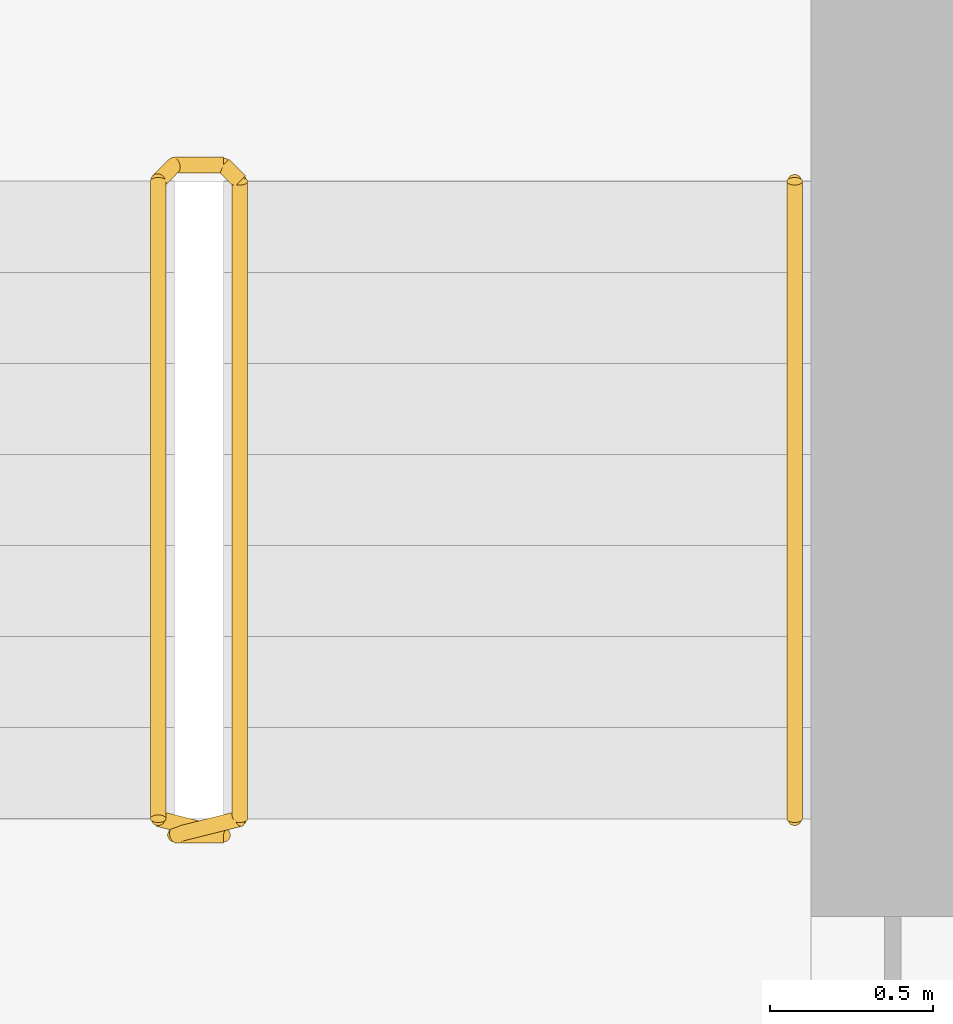
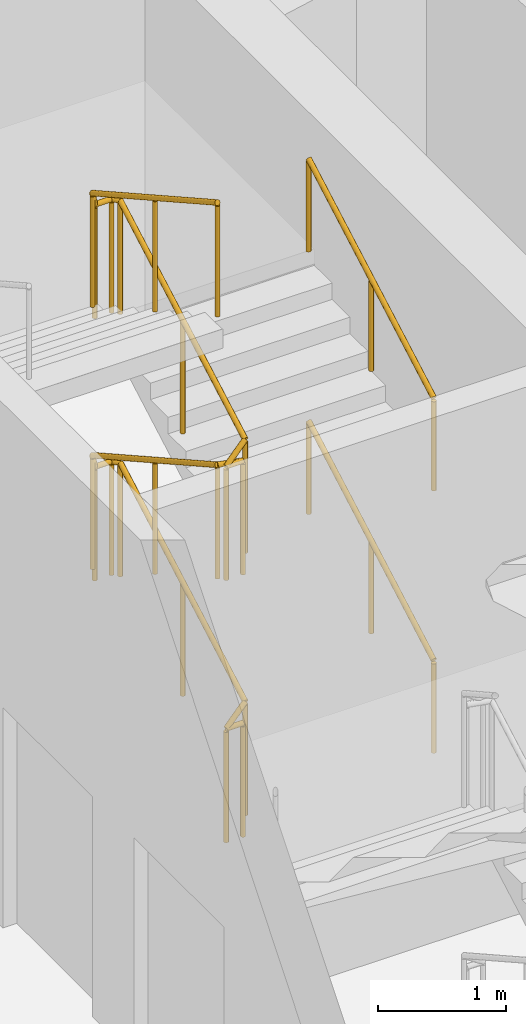
# One storey, part 9 of 9: 3 railings.
"""IFC4 building model written with IfcOpenShell, lengths in metres."""

from ifc_helpers import new_model, si_unit, direction, frame, origin, origin_2d, place, context, subcontext, project, spatial, circle, extrude, material, type_object, element, save


model = new_model("IFC4")

# Units and contexts
model_context = context("Model", 3, precision=1e-05, world=origin(), true_north=direction((0.0, 1.0)))
body_context = subcontext(model_context, "Body", "Model", "MODEL_VIEW")
ifc_project = project(units=[si_unit("LENGTHUNIT", "METRE"), si_unit("AREAUNIT", "SQUARE_METRE"), si_unit("VOLUMEUNIT", "CUBIC_METRE"), si_unit("PLANEANGLEUNIT", "RADIAN"), si_unit("MASSUNIT", "GRAM", prefix="KILO")], contexts=[model_context])

# Site, building, storey
site_placement = place(None, origin())
site = spatial("IfcSite", under=ifc_project, at=site_placement, CompositionType="ELEMENT")
building_placement = place(site_placement, origin())
building = spatial("IfcBuilding", under=site, at=building_placement, Name="Calabash Gate Tower", CompositionType="ELEMENT")
storey_placement = place(building_placement, frame((0.0, 0.0, 315.5)))
storey = spatial("IfcBuildingStorey", under=building, at=storey_placement, Name="L74", CompositionType="ELEMENT", Elevation=315.5)

# Railings
ifc_material_1 = material(Name="Black powder-coated steel balusters", Category="steel")
railing_type_1 = type_object("IfcRailingType", Name="Stair guard RL1100", PredefinedType="GUARDRAIL", material=ifc_material_1)
railing_placement = place(storey_placement, frame((10.300048828125, 13.902587890625, 0.0)))
element("IfcRailing", 1, at=railing_placement, inside=storey, type_object=railing_type_1, Name="L74 ST3 stair guard 1", PredefinedType="GUARDRAIL", context=body_context, shape_type="SweptSolid", body=[
    extrude(circle(Radius=0.02392578125, at=origin_2d()), frame((0.0, 0.0, 1.076171875), z_axis=(-1.0, 0.0, 0.0), x_axis=(0.0, -1.0, 0.0)), (0.0, 0.0, 1.0), 0.150146484375),
    extrude(circle(Radius=0.02392578125, at=origin_2d()), frame((-0.150146484375, 0.0, 1.076171875), z_axis=(0.773438643492, 0.193359660873, 0.603659429067), x_axis=(-0.242535625036, 0.970142500145, 0.0)), (0.0, 0.0, 1.0), 0.2587890625),
    extrude(circle(Radius=0.02392578125, at=origin_2d()), frame((0.050048828125, 0.050048828125, 1.232421875), z_axis=(0.0, 0.872479975208, 0.48864986735), x_axis=(-1.0, 0.0, 0.0)), (0.0, 0.0, 1.0), 2.23828125),
    extrude(circle(Radius=0.02392578125, at=origin_2d()), frame((0.050048828125, 2.0029296875, 2.326171875), z_axis=(-0.707106781187, 0.707106781187, 0.0), x_axis=(-0.707106781187, -0.707106781187, 0.0)), (0.0, 0.0, 1.0), 0.07080078125),
    extrude(circle(Radius=0.02392578125, at=origin_2d()), frame((0.0, 2.052978515625, 2.326171875), z_axis=(-1.0, 0.0, 0.0), x_axis=(0.0, -1.0, 0.0)), (0.0, 0.0, 1.0), 0.150146484375),
    extrude(circle(Radius=0.02392578125, at=origin_2d()), frame((-0.150146484375, 2.052978515625, 2.326171875), z_axis=(-0.290469530425, -0.291893400672, 0.911276958196), x_axis=(0.708833529934, -0.705375805398, 0.0)), (0.0, 0.0, 1.0), 0.17138671875),
    extrude(circle(Radius=0.02392578125, at=origin_2d()), frame((-0.199951171875, 2.0029296875, 2.482421875), z_axis=(0.0, -0.872479975208, 0.48864986735), x_axis=(1.0, 0.0, 0.0)), (0.0, 0.0, 1.0), 2.23828125),
    extrude(circle(Radius=0.02392578125, at=origin_2d()), frame((-0.199951171875, 0.050048828125, 3.576171875), z_axis=(0.970072785993, -0.242814311512, 0.0), x_axis=(0.242814311512, 0.970072785993, 0.0)), (0.0, 0.0, 1.0), 0.2060546875),
    extrude(circle(Radius=0.02392578125, at=origin_2d()), frame((0.0, 0.0, 3.576171875), z_axis=(-1.0, 0.0, 0.0), x_axis=(0.0, -1.0, 0.0)), (0.0, 0.0, 1.0), 0.150146484375),
    extrude(circle(Radius=0.02392578125, at=origin_2d()), frame((-0.150146484375, 0.0, 3.576171875), z_axis=(0.773438643492, 0.193359660873, 0.603659429067), x_axis=(-0.242535625036, 0.970142500145, 0.0)), (0.0, 0.0, 1.0), 0.2587890625),
    extrude(circle(Radius=0.02392578125, at=origin_2d()), frame((0.050048828125, 0.050048828125, 3.732421875), z_axis=(0.0, 0.872479975208, 0.48864986735), x_axis=(-1.0, 0.0, 0.0)), (0.0, 0.0, 1.0), 2.23828125),
    extrude(circle(Radius=0.02392578125, at=origin_2d()), frame((0.050048828125, 2.0029296875, 4.826171875), z_axis=(-0.707106781187, 0.707106781187, 0.0), x_axis=(-0.707106781187, -0.707106781187, 0.0)), (0.0, 0.0, 1.0), 0.07080078125),
    extrude(circle(Radius=0.02392578125, at=origin_2d()), frame((0.0, 2.052978515625, 4.826171875), z_axis=(-1.0, 0.0, 0.0), x_axis=(0.0, -1.0, 0.0)), (0.0, 0.0, 1.0), 0.150146484375),
    extrude(circle(Radius=0.02392578125, at=origin_2d()), frame((-0.150146484375, 2.052978515625, 4.826171875), z_axis=(-0.290469530425, -0.291893400672, 0.911276958196), x_axis=(0.708833529934, -0.705375805398, 0.0)), (0.0, 0.0, 1.0), 0.17138671875),
    extrude(circle(Radius=0.02392578125, at=origin_2d()), frame((-0.199951171875, 2.0029296875, 4.982421875), z_axis=(0.0, -0.872479975208, 0.48864986735), x_axis=(1.0, 0.0, 0.0)), (0.0, 0.0, 1.0), 2.23828125),
    extrude(circle(Radius=0.02099609375, at=origin_2d()), origin(), (0.0, 0.0, 1.0), 1.052001953125),
    extrude(circle(Radius=0.02099609375, at=origin_2d()), frame((-0.150146484375, 0.0, 0.0)), (0.0, 0.0, 1.0), 1.052001953125),
    extrude(circle(Radius=0.02099609375, at=origin_2d()), frame((0.050048828125, 0.050048828125, 0.15625)), (0.0, 0.0, 1.0), 1.052001953125),
    extrude(circle(Radius=0.02099609375, at=origin_2d()), frame((0.050048828125, 1.0263671875, 0.703125)), (0.0, 0.0, 1.0), 1.052001953125),
    extrude(circle(Radius=0.02099609375, at=origin_2d()), frame((0.050048828125, 2.0029296875, 1.25)), (0.0, 0.0, 1.0), 1.052001953125),
    extrude(circle(Radius=0.02099609375, at=origin_2d()), frame((0.0, 2.052978515625, 1.25)), (0.0, 0.0, 1.0), 1.052001953125),
    extrude(circle(Radius=0.02099609375, at=origin_2d()), frame((-0.150146484375, 2.052978515625, 1.25)), (0.0, 0.0, 1.0), 1.052001953125),
    extrude(circle(Radius=0.02099609375, at=origin_2d()), frame((-0.199951171875, 2.0029296875, 1.40625)), (0.0, 0.0, 1.0), 1.052001953125),
    extrude(circle(Radius=0.02099609375, at=origin_2d()), frame((-0.199951171875, 1.0263671875, 1.953125)), (0.0, 0.0, 1.0), 1.052001953125),
    extrude(circle(Radius=0.02099609375, at=origin_2d()), frame((-0.199951171875, 0.050048828125, 2.5)), (0.0, 0.0, 1.0), 1.052001953125),
    extrude(circle(Radius=0.02099609375, at=origin_2d()), frame((0.0, 0.0, 2.5)), (0.0, 0.0, 1.0), 1.052001953125),
    extrude(circle(Radius=0.02099609375, at=origin_2d()), frame((-0.150146484375, 0.0, 2.5)), (0.0, 0.0, 1.0), 1.052001953125),
    extrude(circle(Radius=0.02099609375, at=origin_2d()), frame((0.050048828125, 0.050048828125, 2.65625)), (0.0, 0.0, 1.0), 1.052001953125),
    extrude(circle(Radius=0.02099609375, at=origin_2d()), frame((0.050048828125, 1.0263671875, 3.203125)), (0.0, 0.0, 1.0), 1.052001953125),
    extrude(circle(Radius=0.02099609375, at=origin_2d()), frame((0.050048828125, 2.0029296875, 3.75)), (0.0, 0.0, 1.0), 1.052001953125),
    extrude(circle(Radius=0.02099609375, at=origin_2d()), frame((0.0, 2.052978515625, 3.75)), (0.0, 0.0, 1.0), 1.052001953125),
    extrude(circle(Radius=0.02099609375, at=origin_2d()), frame((-0.150146484375, 2.052978515625, 3.75)), (0.0, 0.0, 1.0), 1.052001953125),
    extrude(circle(Radius=0.02099609375, at=origin_2d()), frame((-0.199951171875, 2.0029296875, 3.90625)), (0.0, 0.0, 1.0), 1.052001953125),
    extrude(circle(Radius=0.02099609375, at=origin_2d()), frame((-0.199951171875, 1.0263671875, 4.453125)), (0.0, 0.0, 1.0), 1.052001953125),
    extrude(circle(Radius=0.02099609375, at=origin_2d()), frame((-0.199951171875, 0.050048828125, 5.0)), (0.0, 0.0, 1.0), 1.052001953125),
])
ifc_material_2 = material(Name="Black powder-coated steel tube 48 mm", Category="steel")
railing_type_2 = type_object("IfcRailingType", Name="Stair handrail RL900", PredefinedType="HANDRAIL", material=ifc_material_2)
for number, where, name in (
    (2, (12.050048828125, 13.95263671875, 0.15625), "L74 ST3 stair handrail 1"),
    (3, (12.050048828125, 13.95263671875, 2.65625), "L74 ST3 stair handrail 3"),
):
    element("IfcRailing", number, at=place(storey_placement, frame(where)), inside=storey, type_object=railing_type_2, Name=name, PredefinedType="HANDRAIL", context=body_context, shape_type="SweptSolid", body=[
        extrude(circle(Radius=0.02392578125, at=origin_2d()), frame((0.0, 0.0, 0.8759765625), z_axis=(0.0, 0.872479975208, 0.48864986735), x_axis=(-1.0, 0.0, 0.0)), (0.0, 0.0, 1.0), 2.23828125),
        extrude(circle(Radius=0.02099609375, at=origin_2d()), origin(), (0.0, 0.0, 1.0), 0.851806640625),
        extrude(circle(Radius=0.02099609375, at=origin_2d()), frame((0.0, 0.9765625, 0.546875)), (0.0, 0.0, 1.0), 0.851806640625),
        extrude(circle(Radius=0.02099609375, at=origin_2d()), frame((0.0, 1.952880859375, 1.09375)), (0.0, 0.0, 1.0), 0.851806640625),
    ])

save(model, "model.ifc")
